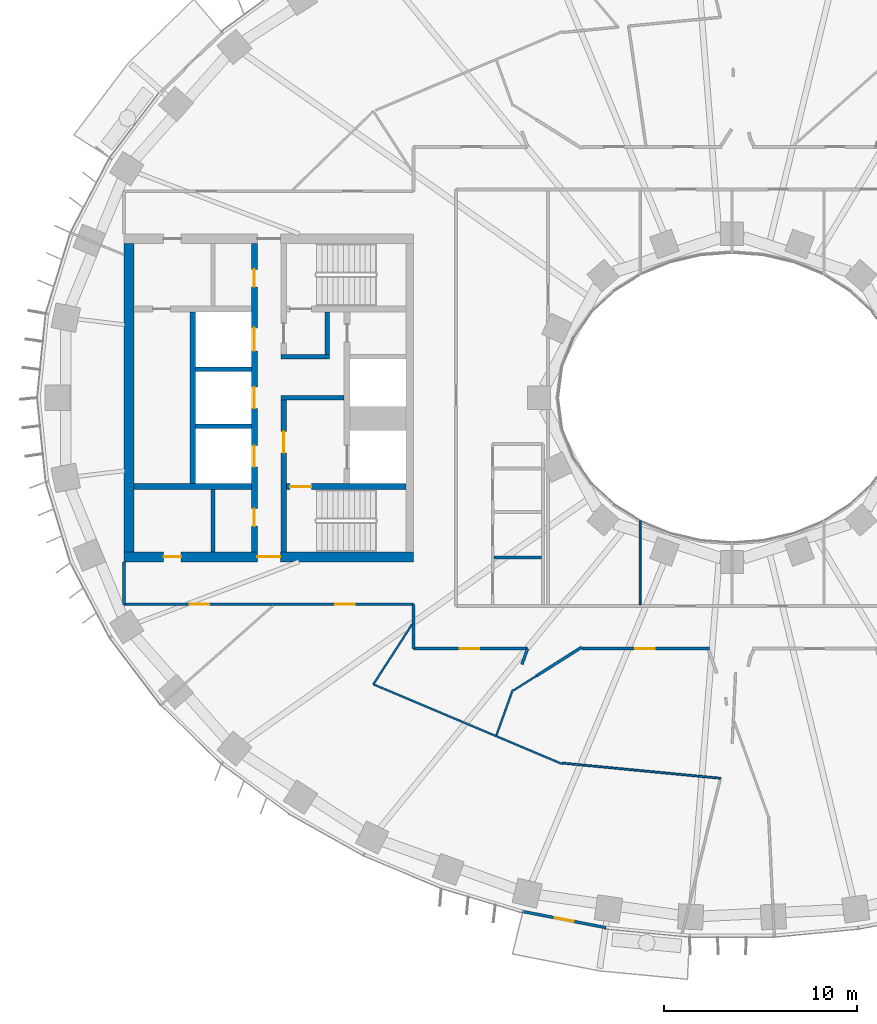
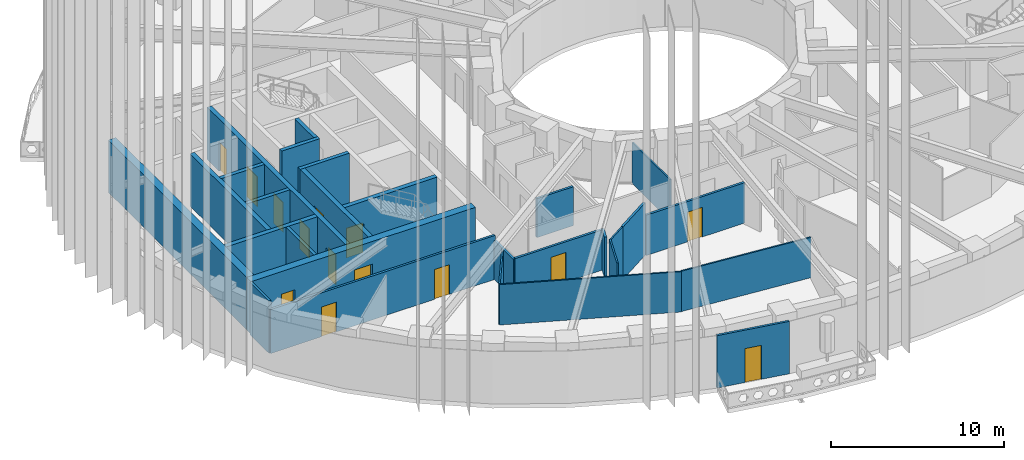
# One storey, part 3 of 20: 28 walls, 14 doors, 14 openings.
"""IFC4 building model written with IfcOpenShell, lengths in metres."""

from ifc_helpers import new_model, si_unit, direction, frame, frame_2d, origin, place, context, subcontext, project, spatial, rectangle, extrude, material, layer, layer_set, type_object, element, fill, save


model = new_model("IFC4")

# Units and contexts
model_context = context("Model", 3, precision=1e-05, world=origin(), true_north=direction((0.0, 1.0)))
body_context = subcontext(model_context, "Body", "Model", "MODEL_VIEW")
ifc_project = project(units=[si_unit("LENGTHUNIT", "METRE"), si_unit("AREAUNIT", "SQUARE_METRE"), si_unit("VOLUMEUNIT", "CUBIC_METRE"), si_unit("PLANEANGLEUNIT", "RADIAN"), si_unit("MASSUNIT", "GRAM", prefix="KILO")], contexts=[model_context])

# Site, building, storey
site_placement = place(None, origin())
site = spatial("IfcSite", under=ifc_project, at=site_placement, CompositionType="ELEMENT")
building_placement = place(site_placement, origin())
building = spatial("IfcBuilding", under=site, at=building_placement, Name="Noorbagh Ring Tower", CompositionType="ELEMENT")
storey_placement = place(building_placement, frame((0.0, 0.0, 88.0)))
storey = spatial("IfcBuildingStorey", under=building, at=storey_placement, Name="L19", CompositionType="ELEMENT", Elevation=88.0)

# Walls
ifc_material_1 = material(Name="Gypsum board on steel studs", Category="steel")
ifc_layer_1 = layer(ifc_material_1, 0.199951171875)
ifc_layer_set_1 = layer_set([ifc_layer_1], Name="Gypsum board on steel studs")
wall_type_1 = type_object("IfcWallType", Name="CORE-PARTITION-200", PredefinedType="PARTITIONING", material=ifc_layer_set_1)
wall_1_placement = place(storey_placement, frame((-26.89990234375, -8.0, 0.0), z_axis=(0.0, 0.0, 1.0), x_axis=(0.0, 1.0, 0.0)))
element("IfcWall", 1, at=wall_1_placement, inside=storey, type_object=wall_type_1, Name="Core partition W", PredefinedType="PARTITIONING", context=body_context, shape_type="SweptSolid", body=[
    extrude(rectangle(XDim=3.25, YDim=0.199951171875, at=frame_2d((1.625, 0.0))), origin(), (0.0, 0.0, 1.0), 3.699951171875),
])
ifc_material_2 = material(Name="Concrete C70/85", Category="concrete")
ifc_layer_2 = layer(ifc_material_2, 0.25)
ifc_layer_set_2 = layer_set([ifc_layer_2], Name="Concrete C70/85")
wall_type_2 = type_object("IfcWallType", Name="CORE-WALL-250-C70-85-EI120", PredefinedType="SHEAR", material=ifc_layer_set_2)
for number, where, z_axis, x_axis, name in (
    (2, (-24.89990234375, -1.47509765625, 0.0), (0.0, 0.0, 1.0), (-1.0, 0.0, 0.0), "Core wall W"),
    (3, (-24.89990234375, 1.47509765625, 0.0), (0.0, 0.0, 1.0), (-1.0, 0.0, 0.0), "Core wall W"),
):
    element("IfcWall", number, at=place(storey_placement, frame(where, z_axis=z_axis, x_axis=x_axis)), inside=storey, type_object=wall_type_2, Name=name, PredefinedType="SHEAR", context=body_context, shape_type="SweptSolid", body=[
        extrude(rectangle(XDim=2.900146484375, YDim=0.25, at=frame_2d((1.4501953125, 0.0))), origin(), (0.0, 0.0, 1.0), 3.699951171875),
    ])
ifc_material_3 = material(Name="Concrete C70/85", Category="concrete")
ifc_layer_3 = layer(ifc_material_3, 0.25)
ifc_layer_set_3 = layer_set([ifc_layer_3], Name="Concrete C70/85")
wall_type_3 = type_object("IfcWallType", Name="CORE-WALL-250-C70-85-EI240", PredefinedType="SHEAR", material=ifc_layer_set_3)
wall_2_placement = place(storey_placement, frame((-20.10009765625, 0.0, 0.0), z_axis=(0.0, 0.0, 1.0), x_axis=(-1.0, 0.0, 0.0)))
element("IfcWall", 4, at=wall_2_placement, inside=storey, type_object=wall_type_3, Name="Core wall W", PredefinedType="SHEAR", context=body_context, shape_type="SweptSolid", body=[
    extrude(rectangle(XDim=3.27978515625, YDim=0.25, at=frame_2d((1.639892578125, 0.0))), origin(), (0.0, 0.0, 1.0), 3.699951171875),
])
wall_3_placement = place(storey_placement, frame((-20.85009765625, 2.125, 0.0), z_axis=(0.0, 0.0, 1.0), x_axis=(-1.0, 0.0, 0.0)))
element("IfcWall", 5, at=wall_3_placement, inside=storey, type_object=wall_type_3, Name="Core wall W", PredefinedType="SHEAR", context=body_context, shape_type="SweptSolid", body=[
    extrude(rectangle(XDim=2.52978515625, YDim=0.25, at=frame_2d((1.264892578125, 0.0))), origin(), (0.0, 0.0, 1.0), 3.699951171875),
])
wall_4_placement = place(storey_placement, frame((-20.97509765625, 2.25, 0.0), z_axis=(0.0, 0.0, 1.0), x_axis=(0.0, 1.0, 0.0)))
element("IfcWall", 6, at=wall_4_placement, inside=storey, type_object=wall_type_3, Name="Core wall W", PredefinedType="SHEAR", context=body_context, shape_type="SweptSolid", body=[
    extrude(rectangle(XDim=2.199951171875, YDim=0.25, at=frame_2d((1.10009765625, 0.0))), origin(), (0.0, 0.0, 1.0), 3.699951171875),
])
ifc_material_4 = material(Name="Concrete C70/85", Category="concrete")
ifc_layer_4 = layer(ifc_material_4, 0.300048828125)
ifc_layer_set_4 = layer_set([ifc_layer_4], Name="Concrete C70/85")
wall_type_4 = type_object("IfcWallType", Name="CORE-WALL-300-C70-85-EI120", PredefinedType="SHEAR", material=ifc_layer_set_4)
wall_5_placement = place(storey_placement, frame((-27.949951171875, -4.449951171875, 0.0), z_axis=(0.0, 0.0, 1.0), x_axis=(0.0, 1.0, 0.0)))
element("IfcWall", 7, at=wall_5_placement, inside=storey, type_object=wall_type_4, Name="Core wall W", PredefinedType="SHEAR", context=body_context, shape_type="SweptSolid", body=[
    extrude(rectangle(XDim=8.89990234375, YDim=0.300048828125, at=frame_2d((4.449951171875, 0.0))), origin(), (0.0, 0.0, 1.0), 3.699951171875),
])

# Wall, openings, doors
wall_6_placement = place(storey_placement, frame((-24.75, -8.0, 0.0), z_axis=(0.0, 0.0, 1.0), x_axis=(0.0, 1.0, 0.0)))
wall_6 = element("IfcWall", 8, at=wall_6_placement, inside=storey, type_object=wall_type_4, Name="Core wall W", PredefinedType="SHEAR", context=body_context, shape_type="SweptSolid", body=[
    extrude(rectangle(XDim=16.0, YDim=0.300048828125, at=frame_2d((8.0, 0.0))), origin(), (0.0, 0.0, 1.0), 3.699951171875),
])
opening_1_placement = place(wall_6_placement, frame((4.425048828125, 0.0, 0.0)))
opening_1 = element("IfcOpeningElement", 9, at=opening_1_placement, cuts=wall_6, Name="Opening L19-CW02", PredefinedType="OPENING", context=body_context, shape_type="SweptSolid", body=[
    extrude(rectangle(XDim=1.10009765625, YDim=2.10009765625, at=frame_2d((0.550048828125, 1.050048828125))), frame((0.0, 0.16015625, 0.0), z_axis=(0.0, -1.0, 0.0), x_axis=(1.0, 0.0, 0.0)), (0.0, 0.0, 1.0), 0.320068359375),
])
opening_2_placement = place(wall_6_placement, frame((7.449951171875, 0.0, 0.0)))
opening_2 = element("IfcOpeningElement", 10, at=opening_2_placement, cuts=wall_6, Name="Opening L19-CW03", PredefinedType="OPENING", context=body_context, shape_type="SweptSolid", body=[
    extrude(rectangle(XDim=1.10009765625, YDim=2.10009765625, at=frame_2d((0.550048828125, 1.050048828125))), frame((0.0, 0.16015625, 0.0), z_axis=(0.0, -1.0, 0.0), x_axis=(1.0, 0.0, 0.0)), (0.0, 0.0, 1.0), 0.320068359375),
])
opening_3_placement = place(wall_6_placement, frame((10.425048828125, 0.0, 0.0)))
opening_3 = element("IfcOpeningElement", 11, at=opening_3_placement, cuts=wall_6, Name="Opening L19-CW04", PredefinedType="OPENING", context=body_context, shape_type="SweptSolid", body=[
    extrude(rectangle(XDim=1.199951171875, YDim=2.10009765625, at=frame_2d((0.60009765625, 1.050048828125))), frame((0.0, 0.16015625, 0.0), z_axis=(0.0, -1.0, 0.0), x_axis=(1.0, 0.0, 0.0)), (0.0, 0.0, 1.0), 0.320068359375),
])
opening_4_placement = place(wall_6_placement, frame((13.75, 0.0, 0.0)))
opening_4 = element("IfcOpeningElement", 12, at=opening_4_placement, cuts=wall_6, Name="Opening L19-CW12", PredefinedType="OPENING", context=body_context, shape_type="SweptSolid", body=[
    extrude(rectangle(XDim=0.89990234375, YDim=2.10009765625, at=frame_2d((0.449951171875, 1.050048828125))), frame((0.0, 0.16015625, 0.0), z_axis=(0.0, -1.0, 0.0), x_axis=(1.0, 0.0, 0.0)), (0.0, 0.0, 1.0), 0.320068359375),
])
opening_5_placement = place(wall_6_placement, frame((1.35009765625, 0.0, 0.0)))
opening_5 = element("IfcOpeningElement", 13, at=opening_5_placement, cuts=wall_6, Name="Opening L19-CW14", PredefinedType="OPENING", context=body_context, shape_type="SweptSolid", body=[
    extrude(rectangle(XDim=0.89990234375, YDim=2.10009765625, at=frame_2d((0.449951171875, 1.050048828125))), frame((0.0, 0.16015625, 0.0), z_axis=(0.0, -1.0, 0.0), x_axis=(1.0, 0.0, 0.0)), (0.0, 0.0, 1.0), 0.320068359375),
])
ifc_material_5 = material(Name="Steel door leaf", Category="steel")
door_type_1 = type_object("IfcDoorType", Name="CORE-DOOR-DROOM", OperationType="SINGLE_SWING_LEFT", PredefinedType="DOOR", material=ifc_material_5)
door_1_placement = place(opening_4_placement, origin())
door_1 = element("IfcDoor", 14, at=door_1_placement, inside=storey, type_object=door_type_1, Name="Core room door L19-CW12", OperationType="SINGLE_SWING_RIGHT", OverallHeight=2.10009765625, OverallWidth=0.89990234375, PredefinedType="DOOR", context=body_context, shape_type="SweptSolid", body=[
    extrude(rectangle(XDim=0.89990234375, YDim=2.10009765625, at=frame_2d((0.449951171875, 1.050048828125))), frame((0.0, 0.02490234375, 0.0), z_axis=(0.0, -1.0, 0.0), x_axis=(1.0, 0.0, 0.0)), (0.0, 0.0, 1.0), 0.050048828125),
])
fill(opening_4, door_1)
door_2_placement = place(opening_5_placement, origin())
door_2 = element("IfcDoor", 15, at=door_2_placement, inside=storey, type_object=door_type_1, Name="Core room door L19-CW14", OperationType="SINGLE_SWING_LEFT", OverallHeight=2.10009765625, OverallWidth=0.89990234375, PredefinedType="DOOR", context=body_context, shape_type="SweptSolid", body=[
    extrude(rectangle(XDim=0.89990234375, YDim=2.10009765625, at=frame_2d((0.449951171875, 1.050048828125))), frame((0.0, 0.02490234375, 0.0), z_axis=(0.0, -1.0, 0.0), x_axis=(1.0, 0.0, 0.0)), (0.0, 0.0, 1.0), 0.050048828125),
])
fill(opening_5, door_2)
ifc_material_6 = material(Name="Steel door leaf", Category="steel")
door_type_2 = type_object("IfcDoorType", Name="CORE-DOOR-LD", OperationType="DOUBLE_DOOR_SLIDING", PredefinedType="DOOR", material=ifc_material_6)
door_3_placement = place(opening_1_placement, origin())
door_3 = element("IfcDoor", 16, at=door_3_placement, inside=storey, type_object=door_type_2, Name="Landing door LR1 L19-CW02", OperationType="DOUBLE_DOOR_SLIDING", OverallHeight=2.10009765625, OverallWidth=1.10009765625, PredefinedType="DOOR", context=body_context, shape_type="SweptSolid", body=[
    extrude(rectangle(XDim=1.10009765625, YDim=2.10009765625, at=frame_2d((0.550048828125, 1.050048828125))), frame((0.0, 0.02490234375, 0.0), z_axis=(0.0, -1.0, 0.0), x_axis=(1.0, 0.0, 0.0)), (0.0, 0.0, 1.0), 0.050048828125),
])
fill(opening_1, door_3)
door_4_placement = place(opening_2_placement, origin())
door_4 = element("IfcDoor", 17, at=door_4_placement, inside=storey, type_object=door_type_2, Name="Landing door LR2 L19-CW03", OperationType="DOUBLE_DOOR_SLIDING", OverallHeight=2.10009765625, OverallWidth=1.10009765625, PredefinedType="DOOR", context=body_context, shape_type="SweptSolid", body=[
    extrude(rectangle(XDim=1.10009765625, YDim=2.10009765625, at=frame_2d((0.550048828125, 1.050048828125))), frame((0.0, 0.02490234375, 0.0), z_axis=(0.0, -1.0, 0.0), x_axis=(1.0, 0.0, 0.0)), (0.0, 0.0, 1.0), 0.050048828125),
])
fill(opening_2, door_4)
ifc_material_7 = material(Name="Steel door leaf", Category="steel")
door_type_3 = type_object("IfcDoorType", Name="CORE-DOOR-LDW", OperationType="DOUBLE_DOOR_SLIDING", PredefinedType="DOOR", material=ifc_material_7)
door_5_placement = place(opening_3_placement, origin())
door_5 = element("IfcDoor", 18, at=door_5_placement, inside=storey, type_object=door_type_3, Name="Landing door SV1 L19-CW04", OperationType="DOUBLE_DOOR_SLIDING", OverallHeight=2.10009765625, OverallWidth=1.199951171875, PredefinedType="DOOR", context=body_context, shape_type="SweptSolid", body=[
    extrude(rectangle(XDim=1.199951171875, YDim=2.10009765625, at=frame_2d((0.60009765625, 1.050048828125))), frame((0.0, 0.02490234375, 0.0), z_axis=(0.0, -1.0, 0.0), x_axis=(1.0, 0.0, 0.0)), (0.0, 0.0, 1.0), 0.050048828125),
])
fill(opening_3, door_5)

# Wall
ifc_material_8 = material(Name="Concrete C70/85", Category="concrete")
ifc_layer_5 = layer(ifc_material_8, 0.300048828125)
ifc_layer_set_5 = layer_set([ifc_layer_5], Name="Concrete C70/85")
wall_type_5 = type_object("IfcWallType", Name="CORE-WALL-300-C70-85-EI240", PredefinedType="SHEAR", material=ifc_layer_set_5)
wall_7_placement = place(storey_placement, frame((-24.89990234375, -4.60009765625, 0.0), z_axis=(0.0, 0.0, 1.0), x_axis=(-1.0, 0.0, 0.0)))
element("IfcWall", 19, at=wall_7_placement, inside=storey, type_object=wall_type_5, Name="Core wall W", PredefinedType="SHEAR", context=body_context, shape_type="SweptSolid", body=[
    extrude(rectangle(XDim=6.10009765625, YDim=0.300048828125, at=frame_2d((3.050048828125, 0.0))), origin(), (0.0, 0.0, 1.0), 3.699951171875),
])

# Wall, opening, door
wall_8_placement = place(storey_placement, frame((-23.22998046875, -8.0, 0.0), z_axis=(0.0, 0.0, 1.0), x_axis=(0.0, 1.0, 0.0)))
wall_8 = element("IfcWall", 20, at=wall_8_placement, inside=storey, type_object=wall_type_5, Name="Core wall W", PredefinedType="SHEAR", context=body_context, shape_type="SweptSolid", body=[
    extrude(rectangle(XDim=7.875, YDim=0.300048828125, at=frame_2d((3.9375, 0.0))), origin(), (0.0, 0.0, 1.0), 3.699951171875),
])
opening_6_placement = place(wall_8_placement, frame((5.14990234375, 0.0, 0.0)))
opening_6 = element("IfcOpeningElement", 21, at=opening_6_placement, cuts=wall_8, Name="Opening L19-CW07", PredefinedType="OPENING", context=body_context, shape_type="SweptSolid", body=[
    extrude(rectangle(XDim=1.10009765625, YDim=2.10009765625, at=frame_2d((0.550048828125, 1.050048828125))), frame((0.0, 0.16015625, 0.0), z_axis=(0.0, -1.0, 0.0), x_axis=(1.0, 0.0, 0.0)), (0.0, 0.0, 1.0), 0.320068359375),
])
ifc_material_9 = material(Name="Steel door leaf", Category="steel")
door_type_4 = type_object("IfcDoorType", Name="CORE-DOOR-DFF", OperationType="SINGLE_SWING_LEFT", PredefinedType="DOOR", material=ifc_material_9)
door_6_placement = place(opening_6_placement, origin())
door_6 = element("IfcDoor", 22, at=door_6_placement, inside=storey, type_object=door_type_4, Name="Firefighting lobby door L19-CW07", OperationType="SINGLE_SWING_LEFT", OverallHeight=2.10009765625, OverallWidth=1.10009765625, PredefinedType="DOOR", context=body_context, shape_type="SweptSolid", body=[
    extrude(rectangle(XDim=1.10009765625, YDim=2.10009765625, at=frame_2d((0.550048828125, 1.050048828125))), frame((0.0, 0.02490234375, 0.0), z_axis=(0.0, -1.0, 0.0), x_axis=(1.0, 0.0, 0.0)), (0.0, 0.0, 1.0), 0.050048828125),
])
fill(opening_6, door_6)

wall_9_placement = place(storey_placement, frame((-16.89990234375, -4.60009765625, 0.0), z_axis=(0.0, 0.0, 1.0), x_axis=(-1.0, 0.0, 0.0)))
wall_9 = element("IfcWall", 23, at=wall_9_placement, inside=storey, type_object=wall_type_5, Name="Core wall W", PredefinedType="SHEAR", context=body_context, shape_type="SweptSolid", body=[
    extrude(rectangle(XDim=6.18017578125, YDim=0.300048828125, at=frame_2d((3.090087890625, 0.0))), origin(), (0.0, 0.0, 1.0), 3.699951171875),
])
opening_7_placement = place(wall_9_placement, frame((4.89990234375, 0.0, 0.0)))
opening_7 = element("IfcOpeningElement", 24, at=opening_7_placement, cuts=wall_9, Name="Opening L19-CW06", PredefinedType="OPENING", context=body_context, shape_type="SweptSolid", body=[
    extrude(rectangle(XDim=1.10009765625, YDim=2.10009765625, at=frame_2d((0.550048828125, 1.050048828125))), frame((0.0, 0.16015625, 0.0), z_axis=(0.0, -1.0, 0.0), x_axis=(1.0, 0.0, 0.0)), (0.0, 0.0, 1.0), 0.320068359375),
])
ifc_material_10 = material(Name="Steel door leaf", Category="steel")
door_type_5 = type_object("IfcDoorType", Name="CORE-DOOR-DSTAIR", OperationType="SINGLE_SWING_LEFT", PredefinedType="DOOR", material=ifc_material_10)
door_7_placement = place(opening_7_placement, origin())
door_7 = element("IfcDoor", 25, at=door_7_placement, inside=storey, type_object=door_type_5, Name="Stair door ST2 L19-CW06", OperationType="SINGLE_SWING_LEFT", OverallHeight=2.10009765625, OverallWidth=1.10009765625, PredefinedType="DOOR", context=body_context, shape_type="SweptSolid", body=[
    extrude(rectangle(XDim=1.10009765625, YDim=2.10009765625, at=frame_2d((0.550048828125, 1.050048828125))), frame((0.0, 0.02490234375, 0.0), z_axis=(0.0, -1.0, 0.0), x_axis=(1.0, 0.0, 0.0)), (0.0, 0.0, 1.0), 0.050048828125),
])
fill(opening_7, door_7)

# Wall, openings, doors
ifc_material_11 = material(Name="Concrete C70/85", Category="concrete")
ifc_layer_6 = layer(ifc_material_11, 0.5)
ifc_layer_set_6 = layer_set([ifc_layer_6], Name="Concrete C70/85")
wall_type_6 = type_object("IfcWallType", Name="CORE-WALL-500-C70-85-EI240", PredefinedType="SHEAR", material=ifc_layer_set_6)
wall_10_placement = place(storey_placement, frame((-16.5, -8.25, 0.0), z_axis=(0.0, 0.0, 1.0), x_axis=(-1.0, 0.0, 0.0)))
wall_10 = element("IfcWall", 26, at=wall_10_placement, inside=storey, type_object=wall_type_6, Name="Core wall W", PredefinedType="SHEAR", context=body_context, shape_type="SweptSolid", body=[
    extrude(rectangle(XDim=15.0, YDim=0.5, at=frame_2d((7.5, 0.0))), origin(), (0.0, 0.0, 1.0), 3.699951171875),
])
opening_8_placement = place(wall_10_placement, frame((6.89990234375, 0.0, 0.0)))
opening_8 = element("IfcOpeningElement", 27, at=opening_8_placement, cuts=wall_10, Name="Opening L19-CW10", PredefinedType="OPENING", context=body_context, shape_type="SweptSolid", body=[
    extrude(rectangle(XDim=1.199951171875, YDim=2.10009765625, at=frame_2d((0.60009765625, 1.050048828125))), frame((0.0, 0.260009765625, 0.0), z_axis=(0.0, -1.0, 0.0), x_axis=(1.0, 0.0, 0.0)), (0.0, 0.0, 1.0), 0.52001953125),
])
opening_9_placement = place(wall_10_placement, frame((12.050048828125, 0.0, 0.0)))
opening_9 = element("IfcOpeningElement", 28, at=opening_9_placement, cuts=wall_10, Name="Opening L19-CW15", PredefinedType="OPENING", context=body_context, shape_type="SweptSolid", body=[
    extrude(rectangle(XDim=0.89990234375, YDim=2.10009765625, at=frame_2d((0.449951171875, 1.050048828125))), frame((0.0, 0.260009765625, 0.0), z_axis=(0.0, -1.0, 0.0), x_axis=(1.0, 0.0, 0.0)), (0.0, 0.0, 1.0), 0.52001953125),
])
door_8_placement = place(opening_9_placement, origin())
door_8 = element("IfcDoor", 29, at=door_8_placement, inside=storey, type_object=door_type_1, Name="Core room door L19-CW15", OperationType="SINGLE_SWING_LEFT", OverallHeight=2.10009765625, OverallWidth=0.89990234375, PredefinedType="DOOR", context=body_context, shape_type="SweptSolid", body=[
    extrude(rectangle(XDim=0.89990234375, YDim=2.10009765625, at=frame_2d((0.449951171875, 1.050048828125))), frame((0.0, 0.02490234375, 0.0), z_axis=(0.0, -1.0, 0.0), x_axis=(1.0, 0.0, 0.0)), (0.0, 0.0, 1.0), 0.050048828125),
])
fill(opening_9, door_8)
ifc_material_12 = material(Name="Steel door leaf", Category="steel")
door_type_6 = type_object("IfcDoorType", Name="CORE-DOOR-PORT", OperationType="DOUBLE_DOOR_DOUBLE_SWING", PredefinedType="DOOR", material=ifc_material_12)
door_9_placement = place(opening_8_placement, origin())
door_9 = element("IfcDoor", 30, at=door_9_placement, inside=storey, type_object=door_type_6, Name="Core entrance door L19-CW10", OperationType="DOUBLE_DOOR_DOUBLE_SWING", OverallHeight=2.10009765625, OverallWidth=1.199951171875, PredefinedType="DOOR", context=body_context, shape_type="SweptSolid", body=[
    extrude(rectangle(XDim=1.199951171875, YDim=2.10009765625, at=frame_2d((0.60009765625, 1.050048828125))), frame((0.0, 0.02490234375, 0.0), z_axis=(0.0, -1.0, 0.0), x_axis=(1.0, 0.0, 0.0)), (0.0, 0.0, 1.0), 0.050048828125),
])
fill(opening_8, door_9)

# Walls
wall_11_placement = place(storey_placement, frame((-31.25, -8.0, 0.0), z_axis=(0.0, 0.0, 1.0), x_axis=(0.0, 1.0, 0.0)))
element("IfcWall", 31, at=wall_11_placement, inside=storey, type_object=wall_type_6, Name="Core wall W", PredefinedType="SHEAR", context=body_context, shape_type="SweptSolid", body=[
    extrude(rectangle(XDim=16.0, YDim=0.5, at=frame_2d((8.0, 0.0))), origin(), (0.0, 0.0, 1.0), 3.699951171875),
])
ifc_material_13 = material(Name="Gypsum board on steel studs", Category="steel")
ifc_layer_7 = layer(ifc_material_13, 0.14990234375)
ifc_layer_set_7 = layer_set([ifc_layer_7], Name="Gypsum board on steel studs")
wall_type_7 = type_object("IfcWallType", Name="CORRIDOR PARTITION 150 EI 30", PredefinedType="PARTITIONING", material=ifc_layer_set_7)
wall_12_placement = place(storey_placement, frame((-31.5, -10.699951171875, 0.0), z_axis=(0.0, 0.0, 1.0), x_axis=(0.0, 1.0, 0.0)))
element("IfcWall", 32, at=wall_12_placement, inside=storey, type_object=wall_type_7, Name="L19/wall/P02", PredefinedType="PARTITIONING", context=body_context, shape_type="SweptSolid", body=[
    extrude(rectangle(XDim=2.199951171875, YDim=0.14990234375, at=frame_2d((1.10009765625, 0.0))), origin(), (0.0, 0.0, 1.0), 3.699951171875),
])

# Wall, openings, doors
wall_13_placement = place(storey_placement, frame((-31.5, -10.699951171875, 0.0), z_axis=(0.0, 0.0, 1.0), x_axis=(1.0, 0.0, 0.0)))
wall_13 = element("IfcWall", 33, at=wall_13_placement, inside=storey, type_object=wall_type_7, Name="L19/wall/P03", PredefinedType="PARTITIONING", context=body_context, shape_type="SweptSolid", body=[
    extrude(rectangle(XDim=15.0, YDim=0.14990234375, at=frame_2d((7.5, 0.0))), origin(), (0.0, 0.0, 1.0), 3.10009765625),
])
opening_10_placement = place(wall_13_placement, frame((3.39990234375, 0.0, 0.0)))
opening_10 = element("IfcOpeningElement", 34, at=opening_10_placement, cuts=wall_13, Name="Opening D1", PredefinedType="OPENING", context=body_context, shape_type="SweptSolid", body=[
    extrude(rectangle(XDim=1.0, YDim=2.10009765625, at=frame_2d((0.5, 1.050048828125))), frame((0.0, 0.0849609375, 0.0), z_axis=(0.0, -1.0, 0.0), x_axis=(1.0, 0.0, 0.0)), (0.0, 0.0, 1.0), 0.169921875),
])
opening_11_placement = place(wall_13_placement, frame((10.947998046875, 0.0, 0.0)))
opening_11 = element("IfcOpeningElement", 35, at=opening_11_placement, cuts=wall_13, Name="Opening D1", PredefinedType="OPENING", context=body_context, shape_type="SweptSolid", body=[
    extrude(rectangle(XDim=1.0, YDim=2.10009765625, at=frame_2d((0.5, 1.050048828125))), frame((0.0, 0.0849609375, 0.0), z_axis=(0.0, -1.0, 0.0), x_axis=(1.0, 0.0, 0.0)), (0.0, 0.0, 1.0), 0.169921875),
])
ifc_material_14 = material(Name="Timber, painted", Category="wood")
door_type_7 = type_object("IfcDoorType", Name="DOOR 1000 X 2100 FD30", OperationType="SINGLE_SWING_LEFT", PredefinedType="DOOR", material=ifc_material_14)
door_10_placement = place(opening_10_placement, origin())
door_10 = element("IfcDoor", 36, at=door_10_placement, inside=storey, type_object=door_type_7, Name="L19-D06", OperationType="SINGLE_SWING_RIGHT", OverallHeight=2.10009765625, OverallWidth=1.0, PredefinedType="DOOR", context=body_context, shape_type="SweptSolid", body=[
    extrude(rectangle(XDim=1.0, YDim=2.10009765625, at=frame_2d((0.5, 1.050048828125))), frame((0.0, 0.02490234375, 0.0), z_axis=(0.0, -1.0, 0.0), x_axis=(1.0, 0.0, 0.0)), (0.0, 0.0, 1.0), 0.050048828125),
])
fill(opening_10, door_10)
door_11_placement = place(opening_11_placement, origin())
door_11 = element("IfcDoor", 37, at=door_11_placement, inside=storey, type_object=door_type_7, Name="L19-D08", OperationType="SINGLE_SWING_RIGHT", OverallHeight=2.10009765625, OverallWidth=1.0, PredefinedType="DOOR", context=body_context, shape_type="SweptSolid", body=[
    extrude(rectangle(XDim=1.0, YDim=2.10009765625, at=frame_2d((0.5, 1.050048828125))), frame((0.0, 0.02490234375, 0.0), z_axis=(0.0, -1.0, 0.0), x_axis=(1.0, 0.0, 0.0)), (0.0, 0.0, 1.0), 0.050048828125),
])
fill(opening_11, door_11)

# Wall
wall_14_placement = place(storey_placement, frame((-16.5, -13.0, 0.0), z_axis=(0.0, 0.0, 1.0), x_axis=(0.0, 1.0, 0.0)))
element("IfcWall", 38, at=wall_14_placement, inside=storey, type_object=wall_type_7, Name="L19/wall/P12", PredefinedType="PARTITIONING", context=body_context, shape_type="SweptSolid", body=[
    extrude(rectangle(XDim=2.300048828125, YDim=0.14990234375, at=frame_2d((1.14990234375, 0.0))), origin(), (0.0, 0.0, 1.0), 2.75),
])

# Wall, opening, door
wall_15_placement = place(storey_placement, frame((-16.5, -13.0, 0.0), z_axis=(0.0, 0.0, 1.0), x_axis=(1.0, 0.0, 0.0)))
wall_15 = element("IfcWall", 39, at=wall_15_placement, inside=storey, type_object=wall_type_7, Name="L19/wall/P13", PredefinedType="PARTITIONING", context=body_context, shape_type="SweptSolid", body=[
    extrude(rectangle(XDim=5.89306640625, YDim=0.14990234375, at=frame_2d((2.946533203125, 0.0))), origin(), (0.0, 0.0, 1.0), 2.85009765625),
])
opening_12_placement = place(wall_15_placement, frame((2.39990234375, 0.0, 0.0)))
opening_12 = element("IfcOpeningElement", 40, at=opening_12_placement, cuts=wall_15, Name="Opening D1", PredefinedType="OPENING", context=body_context, shape_type="SweptSolid", body=[
    extrude(rectangle(XDim=1.0, YDim=2.10009765625, at=frame_2d((0.5, 1.050048828125))), frame((0.0, 0.0849609375, 0.0), z_axis=(0.0, -1.0, 0.0), x_axis=(1.0, 0.0, 0.0)), (0.0, 0.0, 1.0), 0.169921875),
])
door_12_placement = place(opening_12_placement, origin())
door_12 = element("IfcDoor", 41, at=door_12_placement, inside=storey, type_object=door_type_7, Name="L19-D10", OperationType="SINGLE_SWING_RIGHT", OverallHeight=2.10009765625, OverallWidth=1.0, PredefinedType="DOOR", context=body_context, shape_type="SweptSolid", body=[
    extrude(rectangle(XDim=1.0, YDim=2.10009765625, at=frame_2d((0.5, 1.050048828125))), frame((0.0, 0.02490234375, 0.0), z_axis=(0.0, -1.0, 0.0), x_axis=(1.0, 0.0, 0.0)), (0.0, 0.0, 1.0), 0.050048828125),
])
fill(opening_12, door_12)

# Walls
wall_16_placement = place(storey_placement, frame((-12.324951171875, -8.280029296875, 0.0), z_axis=(0.0, 0.0, 1.0), x_axis=(1.0, 0.0, 0.0)))
element("IfcWall", 42, at=wall_16_placement, inside=storey, type_object=wall_type_7, Name="L19/wall/P20", PredefinedType="PARTITIONING", context=body_context, shape_type="SweptSolid", body=[
    extrude(rectangle(XDim=2.449951171875, YDim=0.14990234375, at=frame_2d((1.22509765625, 0.0))), origin(), (0.0, 0.0, 1.0), 2.75),
])
wall_17_placement = place(storey_placement, frame((-10.887939453125, -13.81396484375, 0.0), z_axis=(0.0, 0.0, 1.0), x_axis=(0.338659506624, 0.940908995904, 0.0)))
element("IfcWall", 43, at=wall_17_placement, inside=storey, type_object=wall_type_7, Name="L19/wall/P30", PredefinedType="PARTITIONING", context=body_context, shape_type="SweptSolid", body=[
    extrude(rectangle(XDim=0.864990234375, YDim=0.14990234375, at=frame_2d((0.4326171875, 0.0))), origin(), (0.0, 0.0, 1.0), 2.85009765625),
])
wall_18_placement = place(storey_placement, frame((-10.136962890625, -14.4130859375, 0.0), z_axis=(0.0, 0.0, 1.0), x_axis=(0.844666662568, 0.535292657475, 0.0)))
element("IfcWall", 44, at=wall_18_placement, inside=storey, type_object=wall_type_7, Name="L19/wall/P32", PredefinedType="PARTITIONING", context=body_context, shape_type="SweptSolid", body=[
    extrude(rectangle(XDim=2.776123046875, YDim=0.14990234375, at=frame_2d((1.38818359375, 0.0))), origin(), (0.0, 0.0, 1.0), 3.699951171875),
])

# Wall, opening, door
wall_19_placement = place(storey_placement, frame((-7.76708984375, -13.0, 0.0), z_axis=(0.0, 0.0, 1.0), x_axis=(1.0, 0.0, 0.0)))
wall_19 = element("IfcWall", 45, at=wall_19_placement, inside=storey, type_object=wall_type_7, Name="L19/wall/P39", PredefinedType="PARTITIONING", context=body_context, shape_type="SweptSolid", body=[
    extrude(rectangle(XDim=6.60107421875, YDim=0.14990234375, at=frame_2d((3.300537109375, 0.0))), origin(), (0.0, 0.0, 1.0), 2.85009765625),
])
opening_13_placement = place(wall_19_placement, frame((2.760009765625, 0.0, 0.0)))
opening_13 = element("IfcOpeningElement", 46, at=opening_13_placement, cuts=wall_19, Name="Opening D1", PredefinedType="OPENING", context=body_context, shape_type="SweptSolid", body=[
    extrude(rectangle(XDim=1.0, YDim=2.10009765625, at=frame_2d((0.5, 1.050048828125))), frame((0.0, 0.0849609375, 0.0), z_axis=(0.0, -1.0, 0.0), x_axis=(1.0, 0.0, 0.0)), (0.0, 0.0, 1.0), 0.169921875),
])
door_13_placement = place(opening_13_placement, origin())
door_13 = element("IfcDoor", 47, at=door_13_placement, inside=storey, type_object=door_type_7, Name="L19-D12", OperationType="SINGLE_SWING_RIGHT", OverallHeight=2.10009765625, OverallWidth=1.0, PredefinedType="DOOR", context=body_context, shape_type="SweptSolid", body=[
    extrude(rectangle(XDim=1.0, YDim=2.10009765625, at=frame_2d((0.5, 1.050048828125))), frame((0.0, 0.02490234375, 0.0), z_axis=(0.0, -1.0, 0.0), x_axis=(1.0, 0.0, 0.0)), (0.0, 0.0, 1.0), 0.050048828125),
])
fill(opening_13, door_13)

ifc_material_15 = material(Name="Insulated aluminium clad panel", Category="aluminium")
ifc_layer_8 = layer(ifc_material_15, 0.14990234375)
ifc_layer_set_8 = layer_set([ifc_layer_8], Name="Insulated aluminium clad panel")
wall_type_8 = type_object("IfcWallType", Name="ENV-WALL-DOOR", PredefinedType="STANDARD", material=ifc_layer_set_8)
wall_20_placement = place(storey_placement, frame((-10.87060546875, -26.616943359375, 0.0), z_axis=(0.0, 0.0, 1.0), x_axis=(0.981631174778, -0.190788460615, 0.0)))
wall_20 = element("IfcWall", 48, at=wall_20_placement, inside=storey, type_object=wall_type_8, Name="Balcony door wall chord 33", PredefinedType="STANDARD", context=body_context, shape_type="SweptSolid", body=[
    extrude(rectangle(XDim=4.42626953125, YDim=0.14990234375, at=frame_2d((2.213134765625, 0.0))), origin(), (0.0, 0.0, 1.0), 3.699951171875),
])
opening_14_placement = place(wall_20_placement, frame((1.713134765625, 0.0, 0.0)))
opening_14 = element("IfcOpeningElement", 49, at=opening_14_placement, cuts=wall_20, Name="Opening D-BL", PredefinedType="OPENING", context=body_context, shape_type="SweptSolid", body=[
    extrude(rectangle(XDim=1.0, YDim=2.39990234375, at=frame_2d((0.5, 1.199951171875))), frame((0.0, 0.0849609375, 0.0), z_axis=(0.0, -1.0, 0.0), x_axis=(1.0, 0.0, 0.0)), (0.0, 0.0, 1.0), 0.169921875),
])
ifc_material_16 = material(Name="Aluminium and glass", Category="aluminium")
door_type_8 = type_object("IfcDoorType", Name="ENV-DOOR-BALCONY", OperationType="SINGLE_SWING_LEFT", PredefinedType="DOOR", material=ifc_material_16)
door_14_placement = place(opening_14_placement, origin())
door_14 = element("IfcDoor", 50, at=door_14_placement, inside=storey, type_object=door_type_8, Name="Balcony door chord 33", OperationType="SINGLE_SWING_RIGHT", OverallHeight=2.39990234375, OverallWidth=1.0, PredefinedType="DOOR", context=body_context, shape_type="SweptSolid", body=[
    extrude(rectangle(XDim=1.0, YDim=2.39990234375, at=frame_2d((0.5, 1.199951171875))), frame((0.0, 0.02490234375, 0.0), z_axis=(0.0, -1.0, 0.0), x_axis=(1.0, 0.0, 0.0)), (0.0, 0.0, 1.0), 0.050048828125),
])
fill(opening_14, door_14)

# Walls
ifc_material_17 = material(Name="Gypsum board on steel studs", Category="steel")
ifc_layer_9 = layer(ifc_material_17, 0.10009765625)
ifc_layer_set_9 = layer_set([ifc_layer_9], Name="Gypsum board on steel studs")
wall_type_9 = type_object("IfcWallType", Name="PARTITION 100 GYPSUM", PredefinedType="PARTITIONING", material=ifc_layer_set_9)
wall_21_placement = place(storey_placement, frame((-18.5859375, -14.84912109375, 0.0), z_axis=(0.0, 0.0, 1.0), x_axis=(0.542227325377, 0.840231829684, 0.0)))
element("IfcWall", 51, at=wall_21_placement, inside=storey, type_object=wall_type_9, Name="L19/wall/P08", PredefinedType="PARTITIONING", context=body_context, shape_type="SweptSolid", body=[
    extrude(rectangle(XDim=3.708740234375, YDim=0.10009765625, at=frame_2d((1.8544921875, 0.0))), origin(), (0.0, 0.0, 1.0), 2.75),
])
wall_22_placement = place(storey_placement, frame((-18.5859375, -14.84912109375, 0.0), z_axis=(0.0, 0.0, 1.0), x_axis=(0.921309292198, -0.388830539066, 0.0)))
element("IfcWall", 52, at=wall_22_placement, inside=storey, type_object=wall_type_9, Name="L19/wall/P09", PredefinedType="PARTITIONING", context=body_context, shape_type="SweptSolid", body=[
    extrude(rectangle(XDim=10.608642578125, YDim=0.10009765625, at=frame_2d((5.30419921875, 0.0))), origin(), (0.0, 0.0, 1.0), 2.85009765625),
])
wall_23_placement = place(storey_placement, frame((-12.208984375, -17.486083984375, 0.0), z_axis=(0.0, 0.0, 1.0), x_axis=(0.338698771758, 0.940894862357, 0.0)))
element("IfcWall", 53, at=wall_23_placement, inside=storey, type_object=wall_type_9, Name="L19/wall/P25", PredefinedType="PARTITIONING", context=body_context, shape_type="SweptSolid", body=[
    extrude(rectangle(XDim=2.50634765625, YDim=0.10009765625, at=frame_2d((1.253173828125, 0.0))), origin(), (0.0, 0.0, 1.0), 3.699951171875),
])
wall_24_placement = place(storey_placement, frame((-11.319091796875, -15.160888671875, 0.0), z_axis=(0.0, 0.0, 1.0), x_axis=(0.845102975348, 0.534603555037, 0.0)))
element("IfcWall", 54, at=wall_24_placement, inside=storey, type_object=wall_type_9, Name="L19/wall/P28", PredefinedType="PARTITIONING", context=body_context, shape_type="SweptSolid", body=[
    extrude(rectangle(XDim=1.398681640625, YDim=0.10009765625, at=frame_2d((0.69921875, 0.0))), origin(), (0.0, 0.0, 1.0), 3.699951171875),
])
wall_25_placement = place(storey_placement, frame((-8.802001953125, -18.931884765625, 0.0), z_axis=(0.0, 0.0, 1.0), x_axis=(0.99543910623, -0.095399086939, 0.0)))
element("IfcWall", 55, at=wall_25_placement, inside=storey, type_object=wall_type_9, Name="L19/wall/P37", PredefinedType="PARTITIONING", context=body_context, shape_type="SweptSolid", body=[
    extrude(rectangle(XDim=8.240478515625, YDim=0.10009765625, at=frame_2d((4.1201171875, 0.0))), origin(), (0.0, 0.0, 1.0), 2.85009765625),
])
wall_26_placement = place(storey_placement, frame((-4.76708984375, -10.72509765625, 0.0), z_axis=(0.0, 0.0, 1.0), x_axis=(0.0, 1.0, 0.0)))
element("IfcWall", 56, at=wall_26_placement, inside=storey, type_object=wall_type_9, Name="L19/wall/P43", PredefinedType="PARTITIONING", context=body_context, shape_type="SweptSolid", body=[
    extrude(rectangle(XDim=4.362060546875, YDim=0.10009765625, at=frame_2d((2.18115234375, 0.0))), origin(), (0.0, 0.0, 1.0), 2.89990234375),
])

save(model, "model.ifc")
